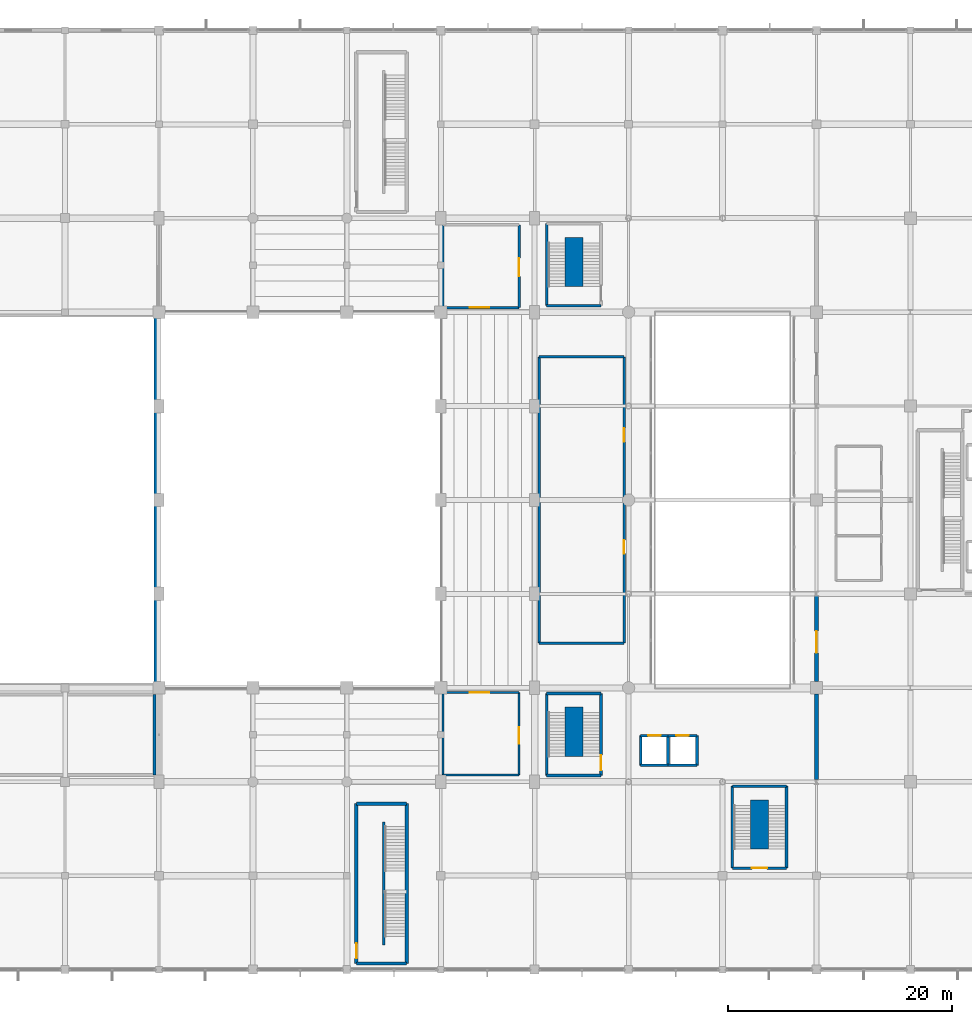
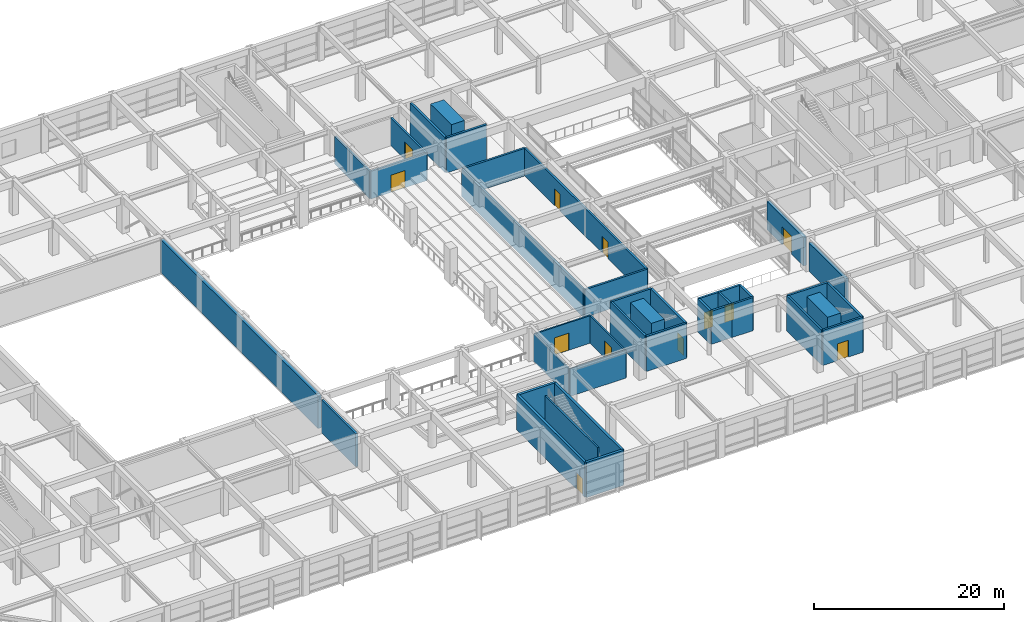
# One storey, part 50 of 62: 40 walls, 12 doors, 12 openings.
"""IFC4 building model written with IfcOpenShell, lengths in metres."""

from ifc_helpers import new_model, si_unit, direction, frame, frame_2d, origin, place, context, subcontext, project, spatial, rectangle, extrude, material, layer, layer_set, type_object, element, fill, save


model = new_model("IFC4")

# Units and contexts
model_context = context("Model", 3, precision=1e-05, world=origin(), true_north=direction((0.0, 1.0)))
body_context = subcontext(model_context, "Body", "Model", "MODEL_VIEW")
ifc_project = project(units=[si_unit("LENGTHUNIT", "METRE"), si_unit("AREAUNIT", "SQUARE_METRE"), si_unit("VOLUMEUNIT", "CUBIC_METRE"), si_unit("PLANEANGLEUNIT", "RADIAN"), si_unit("MASSUNIT", "GRAM", prefix="KILO")], contexts=[model_context])

# Site, building, storey
site_placement = place(None, origin())
site = spatial("IfcSite", under=ifc_project, at=site_placement, CompositionType="ELEMENT")
building_placement = place(site_placement, origin())
building = spatial("IfcBuilding", under=site, at=building_placement, Name="Xuanlan Plaza Opera House", CompositionType="ELEMENT")
storey_placement = place(building_placement, frame((0.0, 0.0, 14.39990234375)))
storey = spatial("IfcBuildingStorey", under=building, at=storey_placement, Name="L03", CompositionType="ELEMENT", Elevation=14.39990234375)

# Walls
ifc_material_1 = material(Name="Gypsum Board and Galvanised Steel Studs", Category="gypsum")
ifc_layer_1 = layer(ifc_material_1, 0.239990234375)
ifc_layer_set_1 = layer_set([ifc_layer_1], Name="Gypsum Board and Galvanised Steel Studs")
wall_type_1 = type_object("IfcWallType", Name="INT-WL-PW-01", PredefinedType="PARTITIONING", material=ifc_layer_set_1)
for number, where, z_axis, x_axis, name in (
    (1, (101.199951171875, 46.0, 0.0), (0.0, 0.0, 1.0), (1.0, 0.0, 0.0), "Stage Lighting and Sound Control Room Wall South"),
    (2, (101.199951171875, 71.60009765625, 0.0), (0.0, 0.0, 1.0), (1.0, 0.0, 0.0), "Stage Lighting and Sound Control Room Wall North"),
):
    element("IfcWall", number, at=place(storey_placement, frame(where, z_axis=z_axis, x_axis=x_axis)), inside=storey, type_object=wall_type_1, Name=name, PredefinedType="PARTITIONING", context=body_context, shape_type="SweptSolid", body=[
        extrude(rectangle(XDim=7.60009765625, YDim=0.239990234375, at=frame_2d((3.800048828125, 0.0))), origin(), (0.0, 0.0, 1.0), 3.5400390625),
    ])
wall_1_placement = place(storey_placement, frame((101.199951171875, 46.0, 0.0), z_axis=(0.0, 0.0, 1.0), x_axis=(0.0, 1.0, 0.0)))
element("IfcWall", 3, at=wall_1_placement, inside=storey, type_object=wall_type_1, Name="Stage Lighting and Sound Control Room Wall West", PredefinedType="PARTITIONING", context=body_context, shape_type="SweptSolid", body=[
    extrude(rectangle(XDim=25.60009765625, YDim=0.239990234375, at=frame_2d((12.800048828125, 0.0))), origin(), (0.0, 0.0, 1.0), 3.5400390625),
])

# Wall, openings, doors
wall_2_placement = place(storey_placement, frame((108.800048828125, 46.0, 0.0), z_axis=(0.0, 0.0, 1.0), x_axis=(0.0, 1.0, 0.0)))
wall_2 = element("IfcWall", 4, at=wall_2_placement, inside=storey, type_object=wall_type_1, Name="Stage Lighting and Sound Control Room Wall East", PredefinedType="PARTITIONING", context=body_context, shape_type="SweptSolid", body=[
    extrude(rectangle(XDim=25.60009765625, YDim=0.239990234375, at=frame_2d((12.800048828125, 0.0))), origin(), (0.0, 0.0, 1.0), 3.5400390625),
])
opening_1_placement = place(wall_2_placement, frame((8.0, 0.0, 0.0)))
opening_1 = element("IfcOpeningElement", 5, at=opening_1_placement, cuts=wall_2, Name="Opening D-05", PredefinedType="OPENING", context=body_context, shape_type="SweptSolid", body=[
    extrude(rectangle(XDim=1.219970703125, YDim=2.14990234375, at=frame_2d((0.60986328125, 1.074951171875))), frame((0.0, 0.1298828125, 0.0), z_axis=(0.0, -1.0, 0.0), x_axis=(1.0, 0.0, 0.0)), (0.0, 0.0, 1.0), 0.260009765625),
])
opening_2_placement = place(wall_2_placement, frame((18.0, 0.0, 0.0)))
opening_2 = element("IfcOpeningElement", 6, at=opening_2_placement, cuts=wall_2, Name="Opening D-05", PredefinedType="OPENING", context=body_context, shape_type="SweptSolid", body=[
    extrude(rectangle(XDim=1.219970703125, YDim=2.14990234375, at=frame_2d((0.60986328125, 1.074951171875))), frame((0.0, 0.1298828125, 0.0), z_axis=(0.0, -1.0, 0.0), x_axis=(1.0, 0.0, 0.0)), (0.0, 0.0, 1.0), 0.260009765625),
])
ifc_material_2 = material(Name="Walnut Hardwood Timber", Category="wood")
door_type_1 = type_object("IfcDoorType", Name="INT-DR-D-05", OperationType="NOTDEFINED", PredefinedType="DOOR", material=ifc_material_2)
door_1_placement = place(opening_1_placement, origin())
door_1 = element("IfcDoor", 7, at=door_1_placement, inside=storey, type_object=door_type_1, Name="Stage Lighting and Sound Control Room Door 1", OperationType="SINGLE_SWING_RIGHT", OverallHeight=2.14990234375, OverallWidth=1.219970703125, PredefinedType="DOOR", context=body_context, shape_type="SweptSolid", body=[
    extrude(rectangle(XDim=1.219970703125, YDim=2.14990234375, at=frame_2d((0.60986328125, 1.074951171875))), frame((0.0, 0.02490234375, 0.0), z_axis=(0.0, -1.0, 0.0), x_axis=(1.0, 0.0, 0.0)), (0.0, 0.0, 1.0), 0.050048828125),
])
fill(opening_1, door_1)
door_2_placement = place(opening_2_placement, origin())
door_2 = element("IfcDoor", 8, at=door_2_placement, inside=storey, type_object=door_type_1, Name="Stage Lighting and Sound Control Room Door 2", OperationType="SINGLE_SWING_LEFT", OverallHeight=2.14990234375, OverallWidth=1.219970703125, PredefinedType="DOOR", context=body_context, shape_type="SweptSolid", body=[
    extrude(rectangle(XDim=1.219970703125, YDim=2.14990234375, at=frame_2d((0.60986328125, 1.074951171875))), frame((0.0, 0.02490234375, 0.0), z_axis=(0.0, -1.0, 0.0), x_axis=(1.0, 0.0, 0.0)), (0.0, 0.0, 1.0), 0.050048828125),
])
fill(opening_2, door_2)

# Wall
ifc_layer_2 = layer(ifc_material_1, 0.179931640625)
ifc_layer_set_2 = layer_set([ifc_layer_2], Name="Gypsum Board and Galvanised Steel Studs")
wall_type_2 = type_object("IfcWallType", Name="INT-WL-PW-02", PredefinedType="PARTITIONING", material=ifc_layer_set_2)
wall_3_placement = place(storey_placement, frame((92.60009765625, 34.199951171875, 0.0), z_axis=(0.0, 0.0, 1.0), x_axis=(1.0, 0.0, 0.0)))
element("IfcWall", 9, at=wall_3_placement, inside=storey, type_object=wall_type_2, Name="Upper Circle Vomitory South Wall South", PredefinedType="PARTITIONING", context=body_context, shape_type="SweptSolid", body=[
    extrude(rectangle(XDim=6.7998046875, YDim=0.179931640625, at=frame_2d((3.39990234375, 0.0))), origin(), (0.0, 0.0, 1.0), 3.5400390625),
])

# Wall, opening, door
wall_4_placement = place(storey_placement, frame((92.60009765625, 41.60009765625, 0.0), z_axis=(0.0, 0.0, 1.0), x_axis=(1.0, 0.0, 0.0)))
wall_4 = element("IfcWall", 10, at=wall_4_placement, inside=storey, type_object=wall_type_2, Name="Upper Circle Vomitory South Wall North", PredefinedType="PARTITIONING", context=body_context, shape_type="SweptSolid", body=[
    extrude(rectangle(XDim=6.7998046875, YDim=0.179931640625, at=frame_2d((3.39990234375, 0.0))), origin(), (0.0, 0.0, 1.0), 3.5400390625),
])
opening_3_placement = place(wall_4_placement, frame((2.39990234375, 0.0, 0.0)))
opening_3 = element("IfcOpeningElement", 11, at=opening_3_placement, cuts=wall_4, Name="Opening FD-03", PredefinedType="OPENING", context=body_context, shape_type="SweptSolid", body=[
    extrude(rectangle(XDim=1.75, YDim=2.199951171875, at=frame_2d((0.875, 1.10009765625))), frame((0.0, 0.099853515625, 0.0), z_axis=(0.0, -1.0, 0.0), x_axis=(1.0, 0.0, 0.0)), (0.0, 0.0, 1.0), 0.199951171875),
])
ifc_material_3 = material(Name="Galvanised Steel Q235B", Category="steel")
door_type_2 = type_object("IfcDoorType", Name="INT-DR-FD-03", OperationType="DOUBLE_DOOR_SINGLE_SWING", PredefinedType="DOOR", material=ifc_material_3)
door_3_placement = place(opening_3_placement, origin())
door_3 = element("IfcDoor", 12, at=door_3_placement, inside=storey, type_object=door_type_2, Name="Upper Circle Vomitory South Door 1", OperationType="DOUBLE_DOOR_SINGLE_SWING", OverallHeight=2.199951171875, OverallWidth=1.75, PredefinedType="DOOR", context=body_context, shape_type="SweptSolid", body=[
    extrude(rectangle(XDim=1.75, YDim=2.199951171875, at=frame_2d((0.875, 1.10009765625))), frame((0.0, 0.02490234375, 0.0), z_axis=(0.0, -1.0, 0.0), x_axis=(1.0, 0.0, 0.0)), (0.0, 0.0, 1.0), 0.050048828125),
])
fill(opening_3, door_3)

# Wall
wall_5_placement = place(storey_placement, frame((92.60009765625, 34.199951171875, 0.0), z_axis=(0.0, 0.0, 1.0), x_axis=(0.0, 1.0, 0.0)))
element("IfcWall", 13, at=wall_5_placement, inside=storey, type_object=wall_type_2, Name="Upper Circle Vomitory South Wall West", PredefinedType="PARTITIONING", context=body_context, shape_type="SweptSolid", body=[
    extrude(rectangle(XDim=7.400146484375, YDim=0.179931640625, at=frame_2d((3.7001953125, 0.0))), origin(), (0.0, 0.0, 1.0), 3.5400390625),
])

# Wall, opening, door
wall_6_placement = place(storey_placement, frame((99.39990234375, 34.199951171875, 0.0), z_axis=(0.0, 0.0, 1.0), x_axis=(0.0, 1.0, 0.0)))
wall_6 = element("IfcWall", 14, at=wall_6_placement, inside=storey, type_object=wall_type_2, Name="Upper Circle Vomitory South Wall East", PredefinedType="PARTITIONING", context=body_context, shape_type="SweptSolid", body=[
    extrude(rectangle(XDim=7.400146484375, YDim=0.179931640625, at=frame_2d((3.7001953125, 0.0))), origin(), (0.0, 0.0, 1.0), 3.5400390625),
])
opening_4_placement = place(wall_6_placement, frame((2.800048828125, 0.0, 0.0)))
opening_4 = element("IfcOpeningElement", 15, at=opening_4_placement, cuts=wall_6, Name="Opening D-03", PredefinedType="OPENING", context=body_context, shape_type="SweptSolid", body=[
    extrude(rectangle(XDim=1.5, YDim=2.199951171875, at=frame_2d((0.75, 1.10009765625))), frame((0.0, 0.099853515625, 0.0), z_axis=(0.0, -1.0, 0.0), x_axis=(1.0, 0.0, 0.0)), (0.0, 0.0, 1.0), 0.199951171875),
])
door_type_3 = type_object("IfcDoorType", Name="INT-DR-D-03", OperationType="DOUBLE_DOOR_SINGLE_SWING", PredefinedType="DOOR", material=ifc_material_2)
door_4_placement = place(opening_4_placement, origin())
door_4 = element("IfcDoor", 16, at=door_4_placement, inside=storey, type_object=door_type_3, Name="Upper Circle Vomitory South Door 1", OperationType="DOUBLE_DOOR_SINGLE_SWING", OverallHeight=2.199951171875, OverallWidth=1.5, PredefinedType="DOOR", context=body_context, shape_type="SweptSolid", body=[
    extrude(rectangle(XDim=1.5, YDim=2.199951171875, at=frame_2d((0.75, 1.10009765625))), frame((0.0, 0.02490234375, 0.0), z_axis=(0.0, -1.0, 0.0), x_axis=(1.0, 0.0, 0.0)), (0.0, 0.0, 1.0), 0.050048828125),
])
fill(opening_4, door_4)

ifc_material_4 = material(Name="Autoclaved Aerated Blockwork Masonry", Category="masonry")
ifc_layer_3 = layer(ifc_material_4, 0.219970703125)
ifc_layer_set_3 = layer_set([ifc_layer_3], Name="Autoclaved Aerated Blockwork Masonry")
wall_type_3 = type_object("IfcWallType", Name="INT-WL-PW-06", PredefinedType="PARTITIONING", material=ifc_layer_set_3)
wall_7_placement = place(storey_placement, frame((92.60009765625, 76.0, 0.0), z_axis=(0.0, 0.0, 1.0), x_axis=(1.0, 0.0, 0.0)))
wall_7 = element("IfcWall", 17, at=wall_7_placement, inside=storey, type_object=wall_type_3, Name="Upper Circle Vomitory North Wall South", PredefinedType="PARTITIONING", context=body_context, shape_type="SweptSolid", body=[
    extrude(rectangle(XDim=6.7998046875, YDim=0.219970703125, at=frame_2d((3.39990234375, 0.0))), origin(), (0.0, 0.0, 1.0), 3.5400390625),
])
opening_5_placement = place(wall_7_placement, frame((2.39990234375, 0.0, 0.0)))
opening_5 = element("IfcOpeningElement", 18, at=opening_5_placement, cuts=wall_7, Name="Opening FD-03", PredefinedType="OPENING", context=body_context, shape_type="SweptSolid", body=[
    extrude(rectangle(XDim=1.75, YDim=2.199951171875, at=frame_2d((0.875, 1.10009765625))), frame((0.0, 0.119873046875, 0.0), z_axis=(0.0, -1.0, 0.0), x_axis=(1.0, 0.0, 0.0)), (0.0, 0.0, 1.0), 0.239990234375),
])
door_5_placement = place(opening_5_placement, origin())
door_5 = element("IfcDoor", 19, at=door_5_placement, inside=storey, type_object=door_type_2, Name="Upper Circle Vomitory North Door 1", OperationType="DOUBLE_DOOR_SINGLE_SWING", OverallHeight=2.199951171875, OverallWidth=1.75, PredefinedType="DOOR", context=body_context, shape_type="SweptSolid", body=[
    extrude(rectangle(XDim=1.75, YDim=2.199951171875, at=frame_2d((0.875, 1.10009765625))), frame((0.0, 0.02490234375, 0.0), z_axis=(0.0, -1.0, 0.0), x_axis=(1.0, 0.0, 0.0)), (0.0, 0.0, 1.0), 0.050048828125),
])
fill(opening_5, door_5)

# Wall
wall_8_placement = place(storey_placement, frame((92.60009765625, 76.0, 0.0), z_axis=(0.0, 0.0, 1.0), x_axis=(0.0, 1.0, 0.0)))
element("IfcWall", 20, at=wall_8_placement, inside=storey, type_object=wall_type_3, Name="Upper Circle Vomitory North Wall West", PredefinedType="PARTITIONING", context=body_context, shape_type="SweptSolid", body=[
    extrude(rectangle(XDim=7.39990234375, YDim=0.219970703125, at=frame_2d((3.699951171875, 0.0))), origin(), (0.0, 0.0, 1.0), 3.5400390625),
])

# Wall, opening, door
wall_9_placement = place(storey_placement, frame((99.39990234375, 76.0, 0.0), z_axis=(0.0, 0.0, 1.0), x_axis=(0.0, 1.0, 0.0)))
wall_9 = element("IfcWall", 21, at=wall_9_placement, inside=storey, type_object=wall_type_3, Name="Upper Circle Vomitory North Wall East", PredefinedType="PARTITIONING", context=body_context, shape_type="SweptSolid", body=[
    extrude(rectangle(XDim=7.39990234375, YDim=0.219970703125, at=frame_2d((3.699951171875, 0.0))), origin(), (0.0, 0.0, 1.0), 3.5400390625),
])
opening_6_placement = place(wall_9_placement, frame((2.800048828125, 0.0, 0.0)))
opening_6 = element("IfcOpeningElement", 22, at=opening_6_placement, cuts=wall_9, Name="Opening D-08", PredefinedType="OPENING", context=body_context, shape_type="SweptSolid", body=[
    extrude(rectangle(XDim=1.6201171875, YDim=2.219970703125, at=frame_2d((0.81005859375, 1.10986328125))), frame((0.0, 0.119873046875, 0.0), z_axis=(0.0, -1.0, 0.0), x_axis=(1.0, 0.0, 0.0)), (0.0, 0.0, 1.0), 0.239990234375),
])
door_type_4 = type_object("IfcDoorType", Name="INT-DR-D-08", OperationType="DOUBLE_DOOR_SINGLE_SWING", PredefinedType="DOOR", material=ifc_material_2)
door_6_placement = place(opening_6_placement, origin())
door_6 = element("IfcDoor", 23, at=door_6_placement, inside=storey, type_object=door_type_4, Name="Upper Circle Vomitory North Door 1", OperationType="DOUBLE_DOOR_SINGLE_SWING", OverallHeight=2.219970703125, OverallWidth=1.6201171875, PredefinedType="DOOR", context=body_context, shape_type="SweptSolid", body=[
    extrude(rectangle(XDim=1.6201171875, YDim=2.219970703125, at=frame_2d((0.81005859375, 1.10986328125))), frame((0.0, 0.02490234375, 0.0), z_axis=(0.0, -1.0, 0.0), x_axis=(1.0, 0.0, 0.0)), (0.0, 0.0, 1.0), 0.050048828125),
])
fill(opening_6, door_6)

# Wall
ifc_material_5 = material(Name="Concrete C50", Category="concrete")
ifc_layer_4 = layer(ifc_material_5, 0.3798828125)
ifc_layer_set_4 = layer_set([ifc_layer_4], Name="Concrete C50")
wall_type_4 = type_object("IfcWallType", Name="INT-WL-SW-FW1", PredefinedType="SHEAR", material=ifc_layer_set_4)
wall_10_placement = place(storey_placement, frame((126.0, 33.800048828125, 0.0), z_axis=(0.0, 0.0, 1.0), x_axis=(0.0, 1.0, 0.0)))
element("IfcWall", 24, at=wall_10_placement, inside=storey, type_object=wall_type_4, Name="Opera-Tower Compartment Firewall L03-01", PredefinedType="SHEAR", context=body_context, shape_type="SweptSolid", body=[
    extrude(rectangle(XDim=7.64990234375, YDim=0.3798828125, at=frame_2d((3.824951171875, 0.0))), origin(), (0.0, 0.0, 1.0), 3.650146484375),
])

# Wall, opening, door
wall_11_placement = place(storey_placement, frame((126.0, 42.550048828125, 0.0), z_axis=(0.0, 0.0, 1.0), x_axis=(0.0, 1.0, 0.0)))
wall_11 = element("IfcWall", 25, at=wall_11_placement, inside=storey, type_object=wall_type_4, Name="Opera-Tower Compartment Firewall L03-02", PredefinedType="SHEAR", context=body_context, shape_type="SweptSolid", body=[
    extrude(rectangle(XDim=7.64990234375, YDim=0.3798828125, at=frame_2d((3.824951171875, 0.0))), origin(), (0.0, 0.0, 1.0), 3.650146484375),
])
opening_7_placement = place(wall_11_placement, frame((2.574951171875, 0.0, 0.0)))
opening_7 = element("IfcOpeningElement", 26, at=opening_7_placement, cuts=wall_11, Name="Opening FD-04", PredefinedType="OPENING", context=body_context, shape_type="SweptSolid", body=[
    extrude(rectangle(XDim=1.949951171875, YDim=2.300048828125, at=frame_2d((0.97509765625, 1.14990234375))), frame((0.0, 0.199951171875, 0.0), z_axis=(0.0, -1.0, 0.0), x_axis=(1.0, 0.0, 0.0)), (0.0, 0.0, 1.0), 0.39990234375),
])
door_type_5 = type_object("IfcDoorType", Name="INT-DR-FD-04", OperationType="DOUBLE_DOOR_SINGLE_SWING", PredefinedType="DOOR", material=ifc_material_3)
door_7_placement = place(opening_7_placement, origin())
door_7 = element("IfcDoor", 27, at=door_7_placement, inside=storey, type_object=door_type_5, Name="Compartment Firewall Door L03-02", OperationType="DOUBLE_DOOR_SINGLE_SWING", OverallHeight=2.300048828125, OverallWidth=1.949951171875, PredefinedType="DOOR", context=body_context, shape_type="SweptSolid", body=[
    extrude(rectangle(XDim=1.949951171875, YDim=2.300048828125, at=frame_2d((0.97509765625, 1.14990234375))), frame((0.0, 0.02490234375, 0.0), z_axis=(0.0, -1.0, 0.0), x_axis=(1.0, 0.0, 0.0)), (0.0, 0.0, 1.0), 0.050048828125),
])
fill(opening_7, door_7)

# Walls
wall_12_placement = place(storey_placement, frame((66.949951171875, 42.25, 0.0), z_axis=(0.0, 0.0, 1.0), x_axis=(0.0, 1.0, 0.0)))
element("IfcWall", 28, at=wall_12_placement, inside=storey, type_object=wall_type_4, Name="Proscenium and Fly Shaft Wall L03-E", PredefinedType="SHEAR", context=body_context, shape_type="SweptSolid", body=[
    extrude(rectangle(XDim=33.10009765625, YDim=0.3798828125, at=frame_2d((16.550048828125, 0.0))), origin(), (0.0, 0.0, 1.0), 4.2001953125),
])
ifc_material_6 = material(Name="Concrete C40", Category="concrete")
ifc_layer_5 = layer(ifc_material_6, 0.25)
ifc_layer_set_5 = layer_set([ifc_layer_5], Name="Concrete C40")
wall_type_5 = type_object("IfcWallType", Name="INT-WL-SW-LF1", PredefinedType="SHEAR", material=ifc_layer_set_5)
wall_13_placement = place(storey_placement, frame((110.27490234375, 35.074951171875, 0.0), z_axis=(0.0, 0.0, 1.0), x_axis=(1.0, 0.0, 0.0)))
element("IfcWall", 29, at=wall_13_placement, inside=storey, type_object=wall_type_5, Name="Lift Shaft Wall LF-OP1 L03 South", PredefinedType="SHEAR", context=body_context, shape_type="SweptSolid", body=[
    extrude(rectangle(XDim=2.4501953125, YDim=0.25, at=frame_2d((1.22509765625, 0.0))), origin(), (0.0, 0.0, 1.0), 4.239990234375),
])

# Wall, opening, door
wall_14_placement = place(storey_placement, frame((110.27490234375, 37.72509765625, 0.0), z_axis=(0.0, 0.0, 1.0), x_axis=(1.0, 0.0, 0.0)))
wall_14 = element("IfcWall", 30, at=wall_14_placement, inside=storey, type_object=wall_type_5, Name="Lift Shaft Wall LF-OP1 L03 North", PredefinedType="SHEAR", context=body_context, shape_type="SweptSolid", body=[
    extrude(rectangle(XDim=2.4501953125, YDim=0.25, at=frame_2d((1.22509765625, 0.0))), origin(), (0.0, 0.0, 1.0), 4.239990234375),
])
opening_8_placement = place(wall_14_placement, frame((0.675048828125, 0.0, 0.0)))
opening_8 = element("IfcOpeningElement", 31, at=opening_8_placement, cuts=wall_14, Name="Opening LD-OP1-L03", PredefinedType="OPENING", context=body_context, shape_type="SweptSolid", body=[
    extrude(rectangle(XDim=1.10009765625, YDim=2.14990234375, at=frame_2d((0.550048828125, 1.074951171875))), frame((0.0, 0.135009765625, 0.0), z_axis=(0.0, -1.0, 0.0), x_axis=(1.0, 0.0, 0.0)), (0.0, 0.0, 1.0), 0.27001953125),
])
ifc_material_7 = material(Name="Stainless Steel S30408", Category="steel")
door_type_6 = type_object("IfcDoorType", Name="INT-DR-LD-01", OperationType="DOUBLE_DOOR_SLIDING", PredefinedType="DOOR", material=ifc_material_7)
door_8_placement = place(opening_8_placement, origin())
door_8 = element("IfcDoor", 32, at=door_8_placement, inside=storey, type_object=door_type_6, Name="Lift Sliding Landing Door LF-OP1 L03", OperationType="DOUBLE_DOOR_SLIDING", OverallHeight=2.14990234375, OverallWidth=1.10009765625, PredefinedType="DOOR", context=body_context, shape_type="SweptSolid", body=[
    extrude(rectangle(XDim=1.10009765625, YDim=2.14990234375, at=frame_2d((0.550048828125, 1.074951171875))), frame((0.0, 0.02490234375, 0.0), z_axis=(0.0, -1.0, 0.0), x_axis=(1.0, 0.0, 0.0)), (0.0, 0.0, 1.0), 0.050048828125),
])
fill(opening_8, door_8)

# Walls
for number, where, z_axis, x_axis, name in (
    (33, (110.27490234375, 35.074951171875, 0.0), (0.0, 0.0, 1.0), (0.0, 1.0, 0.0), "Lift Shaft Wall LF-OP1 L03 West"),
    (34, (112.72509765625, 35.074951171875, 0.0), (0.0, 0.0, 1.0), (0.0, 1.0, 0.0), "Lift Shaft Wall LF-OP1 L03 East"),
):
    element("IfcWall", number, at=place(storey_placement, frame(where, z_axis=z_axis, x_axis=x_axis)), inside=storey, type_object=wall_type_5, Name=name, PredefinedType="SHEAR", context=body_context, shape_type="SweptSolid", body=[
        extrude(rectangle(XDim=2.650146484375, YDim=0.25, at=frame_2d((1.3251953125, 0.0))), origin(), (0.0, 0.0, 1.0), 4.239990234375),
    ])
wall_15_placement = place(storey_placement, frame((112.72509765625, 35.074951171875, 0.0), z_axis=(0.0, 0.0, 1.0), x_axis=(1.0, 0.0, 0.0)))
element("IfcWall", 35, at=wall_15_placement, inside=storey, type_object=wall_type_5, Name="Lift Shaft Wall LF-OP2 L03 South", PredefinedType="SHEAR", context=body_context, shape_type="SweptSolid", body=[
    extrude(rectangle(XDim=2.599853515625, YDim=0.25, at=frame_2d((1.2998046875, 0.0))), origin(), (0.0, 0.0, 1.0), 4.239990234375),
])

# Wall, opening, door
wall_16_placement = place(storey_placement, frame((112.72509765625, 37.72509765625, 0.0), z_axis=(0.0, 0.0, 1.0), x_axis=(1.0, 0.0, 0.0)))
wall_16 = element("IfcWall", 36, at=wall_16_placement, inside=storey, type_object=wall_type_5, Name="Lift Shaft Wall LF-OP2 L03 North", PredefinedType="SHEAR", context=body_context, shape_type="SweptSolid", body=[
    extrude(rectangle(XDim=2.599853515625, YDim=0.25, at=frame_2d((1.2998046875, 0.0))), origin(), (0.0, 0.0, 1.0), 4.239990234375),
])
opening_9_placement = place(wall_16_placement, frame((0.75, 0.0, 0.0)))
opening_9 = element("IfcOpeningElement", 37, at=opening_9_placement, cuts=wall_16, Name="Opening LD-OP2-L03", PredefinedType="OPENING", context=body_context, shape_type="SweptSolid", body=[
    extrude(rectangle(XDim=1.10009765625, YDim=2.14990234375, at=frame_2d((0.550048828125, 1.074951171875))), frame((0.0, 0.135009765625, 0.0), z_axis=(0.0, -1.0, 0.0), x_axis=(1.0, 0.0, 0.0)), (0.0, 0.0, 1.0), 0.27001953125),
])
door_9_placement = place(opening_9_placement, origin())
door_9 = element("IfcDoor", 38, at=door_9_placement, inside=storey, type_object=door_type_6, Name="Lift Sliding Landing Door LF-OP2 L03", OperationType="DOUBLE_DOOR_SLIDING", OverallHeight=2.14990234375, OverallWidth=1.10009765625, PredefinedType="DOOR", context=body_context, shape_type="SweptSolid", body=[
    extrude(rectangle(XDim=1.10009765625, YDim=2.14990234375, at=frame_2d((0.550048828125, 1.074951171875))), frame((0.0, 0.02490234375, 0.0), z_axis=(0.0, -1.0, 0.0), x_axis=(1.0, 0.0, 0.0)), (0.0, 0.0, 1.0), 0.050048828125),
])
fill(opening_9, door_9)

# Walls
wall_17_placement = place(storey_placement, frame((115.324951171875, 35.074951171875, 0.0), z_axis=(0.0, 0.0, 1.0), x_axis=(0.0, 1.0, 0.0)))
element("IfcWall", 39, at=wall_17_placement, inside=storey, type_object=wall_type_5, Name="Lift Shaft Wall LF-OP2 L03 East", PredefinedType="SHEAR", context=body_context, shape_type="SweptSolid", body=[
    extrude(rectangle(XDim=2.650146484375, YDim=0.25, at=frame_2d((1.3251953125, 0.0))), origin(), (0.0, 0.0, 1.0), 4.239990234375),
])
wall_18_placement = place(storey_placement, frame((66.800048828125, 34.199951171875, 0.0), z_axis=(0.0, 0.0, 1.0), x_axis=(0.0, 1.0, 0.0)))
element("IfcWall", 40, at=wall_18_placement, inside=storey, type_object=wall_type_5, Name="Fly Tower Rigging Walkway South Wall East", PredefinedType="SHEAR", context=body_context, shape_type="SweptSolid", body=[
    extrude(rectangle(XDim=7.199951171875, YDim=0.25, at=frame_2d((3.60009765625, 0.0))), origin(), (0.0, 0.0, 1.0), 4.239990234375),
])
ifc_layer_6 = layer(ifc_material_5, 1.60009765625)
ifc_layer_set_6 = layer_set([ifc_layer_6], Name="Concrete C50")
wall_type_6 = type_object("IfcWallType", Name="INT-WL-SW-SP2", PredefinedType="SHEAR", material=ifc_layer_set_6)
for number, where, z_axis, x_axis, name in (
    (41, (104.300048828125, 35.8798828125, 0.0), (0.0, 0.0, 1.0), (0.0, 1.0, 0.0), "Half-Turn Stair Structural Spine Wall ST-F1 L03"),
    (42, (104.300048828125, 77.8798828125, 0.0), (0.0, 0.0, 1.0), (0.0, 1.0, 0.0), "Half-Turn Stair Structural Spine Wall ST-F2 L03"),
):
    element("IfcWall", number, at=place(storey_placement, frame(where, z_axis=z_axis, x_axis=x_axis)), inside=storey, type_object=wall_type_6, Name=name, PredefinedType="SHEAR", context=body_context, shape_type="SweptSolid", body=[
        extrude(rectangle(XDim=4.400146484375, YDim=1.60009765625, at=frame_2d((2.2001953125, 0.0))), origin(), (0.0, 0.0, 1.0), 4.5),
    ])
wall_19_placement = place(storey_placement, frame((120.89990234375, 27.580078125, 0.0), z_axis=(0.0, 0.0, 1.0), x_axis=(0.0, 1.0, 0.0)))
element("IfcWall", 43, at=wall_19_placement, inside=storey, type_object=wall_type_6, Name="Half-Turn Stair Structural Spine Wall ST-F3 L03", PredefinedType="SHEAR", context=body_context, shape_type="SweptSolid", body=[
    extrude(rectangle(XDim=4.39990234375, YDim=1.60009765625, at=frame_2d((2.199951171875, 0.0))), origin(), (0.0, 0.0, 1.0), 4.5),
])
ifc_layer_7 = layer(ifc_material_6, 0.199951171875)
ifc_layer_set_7 = layer_set([ifc_layer_7], Name="Concrete C40")
wall_type_7 = type_object("IfcWallType", Name="INT-WL-SW-SPN", PredefinedType="SHEAR", material=ifc_layer_set_7)
wall_20_placement = place(storey_placement, frame((87.300048828125, 19.0, 0.0), z_axis=(0.0, 0.0, 1.0), x_axis=(0.0, 1.0, 0.0)))
element("IfcWall", 44, at=wall_20_placement, inside=storey, type_object=wall_type_7, Name="Stair Structural Spine Wall ST-P3 L03", PredefinedType="SHEAR", context=body_context, shape_type="SweptSolid", body=[
    extrude(rectangle(XDim=11.0, YDim=0.199951171875, at=frame_2d((5.5, 0.0))), origin(), (0.0, 0.0, 1.0), 4.5),
])
ifc_layer_8 = layer(ifc_material_6, 0.300048828125)
ifc_layer_set_8 = layer_set([ifc_layer_8], Name="Concrete C40")
wall_type_8 = type_object("IfcWallType", Name="INT-WL-SW-ST1", PredefinedType="SHEAR", material=ifc_layer_set_8)
for number, where, z_axis, x_axis, name in (
    (45, (84.85009765625, 17.35009765625, 0.0), (0.0, 0.0, 1.0), (1.0, 0.0, 0.0), "Stair Core Wall ST-P3 L03 South"),
    (46, (84.85009765625, 31.64990234375, 0.0), (0.0, 0.0, 1.0), (1.0, 0.0, 0.0), "Stair Core Wall ST-P3 L03 North"),
):
    element("IfcWall", number, at=place(storey_placement, frame(where, z_axis=z_axis, x_axis=x_axis)), inside=storey, type_object=wall_type_8, Name=name, PredefinedType="SHEAR", context=body_context, shape_type="SweptSolid", body=[
        extrude(rectangle(XDim=4.5, YDim=0.300048828125, at=frame_2d((2.25, 0.0))), origin(), (0.0, 0.0, 1.0), 4.5),
    ])

# Wall, opening, door
wall_21_placement = place(storey_placement, frame((84.85009765625, 17.35009765625, 0.0), z_axis=(0.0, 0.0, 1.0), x_axis=(0.0, 1.0, 0.0)))
wall_21 = element("IfcWall", 47, at=wall_21_placement, inside=storey, type_object=wall_type_8, Name="Stair Core Wall ST-P3 L03 West", PredefinedType="SHEAR", context=body_context, shape_type="SweptSolid", body=[
    extrude(rectangle(XDim=14.2998046875, YDim=0.300048828125, at=frame_2d((7.14990234375, 0.0))), origin(), (0.0, 0.0, 1.0), 4.5),
])
opening_10_placement = place(wall_21_placement, frame((0.449951171875, 0.0, 0.0)))
opening_10 = element("IfcOpeningElement", 48, at=opening_10_placement, cuts=wall_21, Name="Opening FD-ST2", PredefinedType="OPENING", context=body_context, shape_type="SweptSolid", body=[
    extrude(rectangle(XDim=1.35009765625, YDim=2.14990234375, at=frame_2d((0.675048828125, 1.074951171875))), frame((0.0, 0.159912109375, 0.0), z_axis=(0.0, -1.0, 0.0), x_axis=(1.0, 0.0, 0.0)), (0.0, 0.0, 1.0), 0.320068359375),
])
door_type_7 = type_object("IfcDoorType", Name="INT-DR-FD-ST2", OperationType="NOTDEFINED", PredefinedType="DOOR", material=ifc_material_3)
door_10_placement = place(opening_10_placement, frame((1.35009765625, 0.0, 0.0), z_axis=(0.0, 0.0, 1.0), x_axis=(-1.0, 0.0, 0.0)))
door_10 = element("IfcDoor", 49, at=door_10_placement, inside=storey, type_object=door_type_7, Name="Stair Enclosure Fire Door ST-P3 L03", OperationType="SINGLE_SWING_LEFT", OverallHeight=2.14990234375, OverallWidth=1.35009765625, PredefinedType="DOOR", context=body_context, shape_type="SweptSolid", body=[
    extrude(rectangle(XDim=1.35009765625, YDim=2.14990234375, at=frame_2d((0.675048828125, 1.074951171875))), frame((0.0, 0.02490234375, 0.0), z_axis=(0.0, -1.0, 0.0), x_axis=(1.0, 0.0, 0.0)), (0.0, 0.0, 1.0), 0.050048828125),
])
fill(opening_10, door_10)

# Walls
wall_22_placement = place(storey_placement, frame((89.35009765625, 17.35009765625, 0.0), z_axis=(0.0, 0.0, 1.0), x_axis=(0.0, 1.0, 0.0)))
element("IfcWall", 50, at=wall_22_placement, inside=storey, type_object=wall_type_8, Name="Stair Core Wall ST-P3 L03 East", PredefinedType="SHEAR", context=body_context, shape_type="SweptSolid", body=[
    extrude(rectangle(XDim=14.2998046875, YDim=0.300048828125, at=frame_2d((7.14990234375, 0.0))), origin(), (0.0, 0.0, 1.0), 4.5),
])
ifc_layer_9 = layer(ifc_material_6, 0.25)
ifc_layer_set_9 = layer_set([ifc_layer_9], Name="Concrete C40")
wall_type_9 = type_object("IfcWallType", Name="INT-WL-SW-ST2", PredefinedType="SHEAR", material=ifc_layer_set_9)
for number, where, z_axis, x_axis, name in (
    (51, (101.875, 34.175048828125, 0.0), (0.0, 0.0, 1.0), (1.0, 0.0, 0.0), "Stair Core Wall ST-F1 L03 South"),
    (52, (101.875, 41.5048828125, 0.0), (0.0, 0.0, 1.0), (1.0, 0.0, 0.0), "Stair Core Wall ST-F1 L03 North"),
):
    element("IfcWall", number, at=place(storey_placement, frame(where, z_axis=z_axis, x_axis=x_axis)), inside=storey, type_object=wall_type_9, Name=name, PredefinedType="SHEAR", context=body_context, shape_type="SweptSolid", body=[
        extrude(rectangle(XDim=4.85009765625, YDim=0.25, at=frame_2d((2.425048828125, 0.0))), origin(), (0.0, 0.0, 1.0), 4.5),
    ])
wall_23_placement = place(storey_placement, frame((101.875, 34.175048828125, 0.0), z_axis=(0.0, 0.0, 1.0), x_axis=(0.0, 1.0, 0.0)))
element("IfcWall", 53, at=wall_23_placement, inside=storey, type_object=wall_type_9, Name="Stair Core Wall ST-F1 L03 West", PredefinedType="SHEAR", context=body_context, shape_type="SweptSolid", body=[
    extrude(rectangle(XDim=7.329833984375, YDim=0.25, at=frame_2d((3.6650390625, 0.0))), origin(), (0.0, 0.0, 1.0), 4.5),
])

# Wall, opening, door
wall_24_placement = place(storey_placement, frame((106.72509765625, 34.175048828125, 0.0), z_axis=(0.0, 0.0, 1.0), x_axis=(0.0, 1.0, 0.0)))
wall_24 = element("IfcWall", 54, at=wall_24_placement, inside=storey, type_object=wall_type_9, Name="Stair Core Wall ST-F1 L03 East", PredefinedType="SHEAR", context=body_context, shape_type="SweptSolid", body=[
    extrude(rectangle(XDim=7.329833984375, YDim=0.25, at=frame_2d((3.6650390625, 0.0))), origin(), (0.0, 0.0, 1.0), 4.5),
])
opening_11_placement = place(wall_24_placement, frame((0.449951171875, 0.0, 0.0)))
opening_11 = element("IfcOpeningElement", 55, at=opening_11_placement, cuts=wall_24, Name="Opening FD-ST2", PredefinedType="OPENING", context=body_context, shape_type="SweptSolid", body=[
    extrude(rectangle(XDim=1.35009765625, YDim=2.14990234375, at=frame_2d((0.675048828125, 1.074951171875))), frame((0.0, 0.135009765625, 0.0), z_axis=(0.0, -1.0, 0.0), x_axis=(1.0, 0.0, 0.0)), (0.0, 0.0, 1.0), 0.27001953125),
])
door_11_placement = place(opening_11_placement, origin())
door_11 = element("IfcDoor", 56, at=door_11_placement, inside=storey, type_object=door_type_7, Name="Stair Enclosure Fire Door ST-F1 L03", OperationType="SINGLE_SWING_LEFT", OverallHeight=2.14990234375, OverallWidth=1.35009765625, PredefinedType="DOOR", context=body_context, shape_type="SweptSolid", body=[
    extrude(rectangle(XDim=1.35009765625, YDim=2.14990234375, at=frame_2d((0.675048828125, 1.074951171875))), frame((0.0, 0.02490234375, 0.0), z_axis=(0.0, -1.0, 0.0), x_axis=(1.0, 0.0, 0.0)), (0.0, 0.0, 1.0), 0.050048828125),
])
fill(opening_11, door_11)

# Walls
wall_25_placement = place(storey_placement, frame((101.875, 76.175048828125, 0.0), z_axis=(0.0, 0.0, 1.0), x_axis=(1.0, 0.0, 0.0)))
element("IfcWall", 57, at=wall_25_placement, inside=storey, type_object=wall_type_9, Name="Stair Core Wall ST-F2 L03 South", PredefinedType="SHEAR", context=body_context, shape_type="SweptSolid", body=[
    extrude(rectangle(XDim=4.85009765625, YDim=0.25, at=frame_2d((2.425048828125, 0.0))), origin(), (0.0, 0.0, 1.0), 4.5),
])
wall_26_placement = place(storey_placement, frame((101.875, 76.175048828125, 0.0), z_axis=(0.0, 0.0, 1.0), x_axis=(0.0, 1.0, 0.0)))
element("IfcWall", 58, at=wall_26_placement, inside=storey, type_object=wall_type_9, Name="Stair Core Wall ST-F2 L03 West", PredefinedType="SHEAR", context=body_context, shape_type="SweptSolid", body=[
    extrude(rectangle(XDim=7.329833984375, YDim=0.25, at=frame_2d((3.6650390625, 0.0))), origin(), (0.0, 0.0, 1.0), 4.5),
])

# Wall, opening, door
wall_27_placement = place(storey_placement, frame((118.47509765625, 25.875, 0.0), z_axis=(0.0, 0.0, 1.0), x_axis=(1.0, 0.0, 0.0)))
wall_27 = element("IfcWall", 59, at=wall_27_placement, inside=storey, type_object=wall_type_9, Name="Stair Core Wall ST-F3 L03 South", PredefinedType="SHEAR", context=body_context, shape_type="SweptSolid", body=[
    extrude(rectangle(XDim=4.849853515625, YDim=0.25, at=frame_2d((2.4248046875, 0.0))), origin(), (0.0, 0.0, 1.0), 4.5),
])
opening_12_placement = place(wall_27_placement, frame((1.75, 0.0, 0.0)))
opening_12 = element("IfcOpeningElement", 60, at=opening_12_placement, cuts=wall_27, Name="Opening FD-ST2", PredefinedType="OPENING", context=body_context, shape_type="SweptSolid", body=[
    extrude(rectangle(XDim=1.35009765625, YDim=2.14990234375, at=frame_2d((0.675048828125, 1.074951171875))), frame((0.0, 0.135009765625, 0.0), z_axis=(0.0, -1.0, 0.0), x_axis=(1.0, 0.0, 0.0)), (0.0, 0.0, 1.0), 0.27001953125),
])
door_12_placement = place(opening_12_placement, origin())
door_12 = element("IfcDoor", 61, at=door_12_placement, inside=storey, type_object=door_type_7, Name="Stair Enclosure Fire Door ST-F3 L03", OperationType="SINGLE_SWING_RIGHT", OverallHeight=2.14990234375, OverallWidth=1.35009765625, PredefinedType="DOOR", context=body_context, shape_type="SweptSolid", body=[
    extrude(rectangle(XDim=1.35009765625, YDim=2.14990234375, at=frame_2d((0.675048828125, 1.074951171875))), frame((0.0, 0.02490234375, 0.0), z_axis=(0.0, -1.0, 0.0), x_axis=(1.0, 0.0, 0.0)), (0.0, 0.0, 1.0), 0.050048828125),
])
fill(opening_12, door_12)

# Walls
wall_28_placement = place(storey_placement, frame((118.47509765625, 33.205078125, 0.0), z_axis=(0.0, 0.0, 1.0), x_axis=(1.0, 0.0, 0.0)))
element("IfcWall", 62, at=wall_28_placement, inside=storey, type_object=wall_type_9, Name="Stair Core Wall ST-F3 L03 North", PredefinedType="SHEAR", context=body_context, shape_type="SweptSolid", body=[
    extrude(rectangle(XDim=4.849853515625, YDim=0.25, at=frame_2d((2.4248046875, 0.0))), origin(), (0.0, 0.0, 1.0), 4.5),
])
for number, where, z_axis, x_axis, name in (
    (63, (118.47509765625, 25.875, 0.0), (0.0, 0.0, 1.0), (0.0, 1.0, 0.0), "Stair Core Wall ST-F3 L03 West"),
    (64, (123.324951171875, 25.875, 0.0), (0.0, 0.0, 1.0), (0.0, 1.0, 0.0), "Stair Core Wall ST-F3 L03 East"),
):
    element("IfcWall", number, at=place(storey_placement, frame(where, z_axis=z_axis, x_axis=x_axis)), inside=storey, type_object=wall_type_9, Name=name, PredefinedType="SHEAR", context=body_context, shape_type="SweptSolid", body=[
        extrude(rectangle(XDim=7.330078125, YDim=0.25, at=frame_2d((3.6650390625, 0.0))), origin(), (0.0, 0.0, 1.0), 4.5),
    ])

save(model, "model.ifc")
